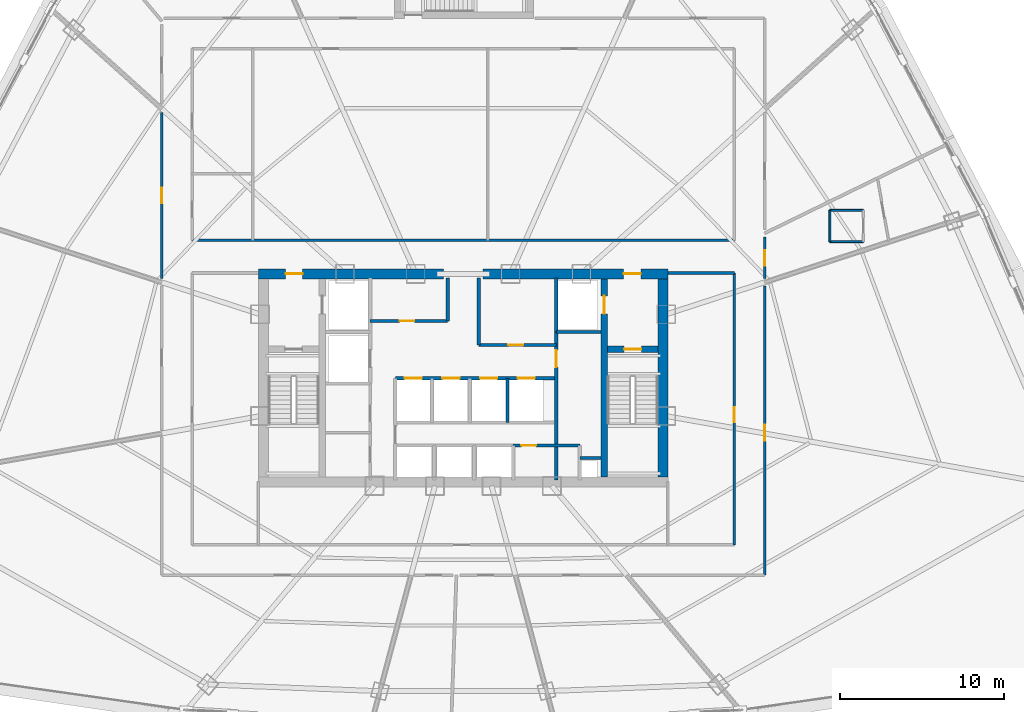
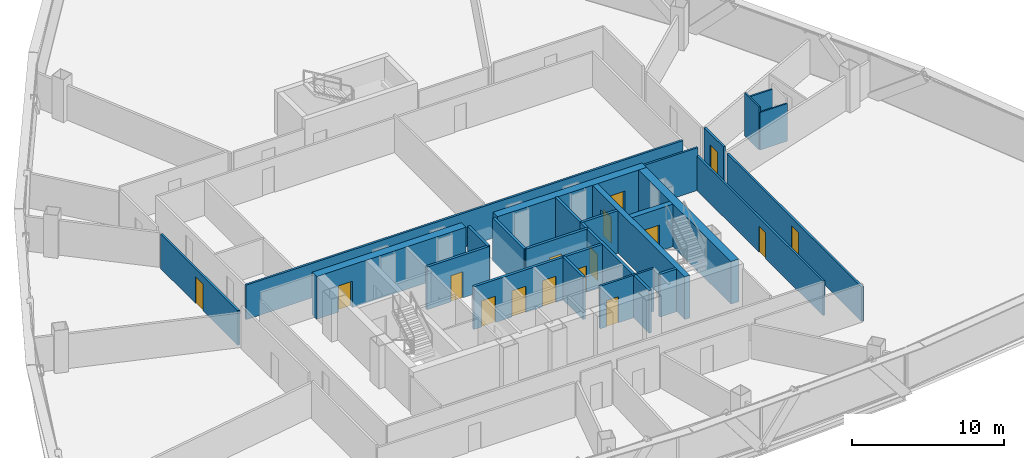
# One storey, part 36 of 42: 25 walls, 16 doors, 16 openings.
"""IFC4 building model written with IfcOpenShell, lengths in metres."""

from ifc_helpers import new_model, si_unit, direction, frame, frame_2d, origin, origin_with_axes, place, context, subcontext, project, spatial, rectangle, extrude, source, transform, mapped, material, layer, layer_set, type_object, element, fill, save


model = new_model("IFC4")

# Units and contexts
model_context = context("Model", 3, precision=1e-05, world=origin(), true_north=direction((0.0, 1.0)))
body_context = subcontext(model_context, "Body", "Model", "MODEL_VIEW")
ifc_project = project(units=[si_unit("LENGTHUNIT", "METRE"), si_unit("AREAUNIT", "SQUARE_METRE"), si_unit("VOLUMEUNIT", "CUBIC_METRE"), si_unit("PLANEANGLEUNIT", "RADIAN"), si_unit("MASSUNIT", "GRAM", prefix="KILO"), si_unit("THERMODYNAMICTEMPERATUREUNIT", "KELVIN"), si_unit("POWERUNIT", "WATT")], contexts=[model_context])

# Site, building, storey
site_placement = place(None, origin())
site = spatial("IfcSite", under=ifc_project, at=site_placement, CompositionType="ELEMENT")
building_placement = place(site_placement, origin())
building = spatial("IfcBuilding", under=site, at=building_placement, Name="Yunzhuo Pagoda Commons", CompositionType="ELEMENT")
storey_placement = place(building_placement, frame((0.0, 0.0, 129.830078125)))
storey = spatial("IfcBuildingStorey", under=building, at=storey_placement, Name="L32", CompositionType="ELEMENT", Elevation=129.830078125)

# Wall, opening, door
ifc_material_1 = material(Name="Concrete C60", Category="concrete")
ifc_layer_1 = layer(ifc_material_1, 0.60009765625)
ifc_layer_set_1 = layer_set([ifc_layer_1], Name="Concrete C60")
wall_type_1 = type_object("IfcWallType", Name="W-C02 Mid Core Shear Wall 600", PredefinedType="SHEAR", material=ifc_layer_set_1)
wall_1_placement = place(storey_placement, frame((35.5, 40.199951171875, 0.0), z_axis=(0.0, 0.0, 1.0), x_axis=(1.0, 0.0, 0.0)))
wall_1 = element("IfcWall", 1, at=wall_1_placement, inside=storey, type_object=wall_type_1, Name="L32 core shear wall NW", PredefinedType="SHEAR", context=body_context, shape_type="SweptSolid", body=[
    extrude(rectangle(XDim=11.300048828125, YDim=0.60009765625, at=frame_2d((5.64990234375, 0.0))), origin(), (0.0, 0.0, 1.0), 3.419921875),
])
opening_1_placement = place(wall_1_placement, frame((1.64990234375, 0.0, 0.0)))
opening_1 = element("IfcOpeningElement", 2, at=opening_1_placement, cuts=wall_1, Name="Opening D-02", PredefinedType="OPENING", context=body_context, shape_type="SweptSolid", body=[
    extrude(rectangle(XDim=1.050048828125, YDim=2.10009765625, at=frame_2d((0.52490234375, 1.050048828125))), frame((0.0, 0.31005859375, 0.0), z_axis=(0.0, -1.0, 0.0), x_axis=(1.0, 0.0, 0.0)), (0.0, 0.0, 1.0), 0.6201171875),
])
ifc_material_2 = material(Name="Galvanized fire-resisting metal leaf")
door_type_1 = type_object("IfcDoorType", Name="D-02 Firefighting Lobby & Refuge Fire Door 1050x2100", OperationType="NOTDEFINED", PredefinedType="DOOR", material=ifc_material_2)
shared_shape_1 = source(origin(), body_context, "Body", "SweptSolid", [
    extrude(rectangle(XDim=1.050048828125, YDim=2.10009765625, at=frame_2d((0.52490234375, 1.050048828125))), frame((0.0, 0.02490234375, 0.0), z_axis=(0.0, -1.0, 0.0), x_axis=(1.0, 0.0, 0.0)), (0.0, 0.0, 1.0), 0.050048828125),
])
door_1_placement = place(opening_1_placement, frame((1.050048828125, 0.0, 0.0), z_axis=(0.0, 0.0, 1.0), x_axis=(-1.0, 0.0, 0.0)))
door_1 = element("IfcDoor", 3, at=door_1_placement, inside=storey, type_object=door_type_1, Name="L32 Firefighting Lobby 1 fire door", OperationType="SINGLE_SWING_LEFT", OverallHeight=2.10009765625, OverallWidth=1.050048828125, PredefinedType="DOOR", context=body_context, shape_type="MappedRepresentation", body=[
    mapped(shared_shape_1, transform((0.0, 0.0, 0.0), scale=1.0)),
])
fill(opening_1, door_1)

wall_2_placement = place(storey_placement, frame((49.199951171875, 40.199951171875, 0.0), z_axis=(0.0, 0.0, 1.0), x_axis=(1.0, 0.0, 0.0)))
wall_2 = element("IfcWall", 4, at=wall_2_placement, inside=storey, type_object=wall_type_1, Name="L32 core shear wall NE", PredefinedType="SHEAR", context=body_context, shape_type="SweptSolid", body=[
    extrude(rectangle(XDim=11.300048828125, YDim=0.60009765625, at=frame_2d((5.64990234375, 0.0))), origin(), (0.0, 0.0, 1.0), 3.419921875),
])
opening_2_placement = place(wall_2_placement, frame((8.60009765625, 0.0, 0.0)))
opening_2 = element("IfcOpeningElement", 5, at=opening_2_placement, cuts=wall_2, Name="Opening D-02", PredefinedType="OPENING", context=body_context, shape_type="SweptSolid", body=[
    extrude(rectangle(XDim=1.050048828125, YDim=2.10009765625, at=frame_2d((0.52490234375, 1.050048828125))), frame((0.0, 0.31005859375, 0.0), z_axis=(0.0, -1.0, 0.0), x_axis=(1.0, 0.0, 0.0)), (0.0, 0.0, 1.0), 0.6201171875),
])
door_2_placement = place(opening_2_placement, frame((1.050048828125, 0.0, 0.0), z_axis=(0.0, 0.0, 1.0), x_axis=(-1.0, 0.0, 0.0)))
door_2 = element("IfcDoor", 6, at=door_2_placement, inside=storey, type_object=door_type_1, Name="L32 Firefighting Lobby 2 fire door", OperationType="SINGLE_SWING_RIGHT", OverallHeight=2.10009765625, OverallWidth=1.050048828125, PredefinedType="DOOR", context=body_context, shape_type="MappedRepresentation", body=[
    mapped(shared_shape_1, transform((0.0, 0.0, 0.0), scale=1.0)),
])
fill(opening_2, door_2)

# Wall
wall_3_placement = place(storey_placement, frame((60.199951171875, 27.800048828125, 0.0), z_axis=(0.0, 0.0, 1.0), x_axis=(0.0, 1.0, 0.0)))
element("IfcWall", 7, at=wall_3_placement, inside=storey, type_object=wall_type_1, Name="L32 core shear wall E", PredefinedType="SHEAR", context=body_context, shape_type="SweptSolid", body=[
    extrude(rectangle(XDim=12.099853515625, YDim=0.60009765625, at=frame_2d((6.0498046875, 0.0))), origin(), (0.0, 0.0, 1.0), 3.419921875),
])

# Wall, opening, door
ifc_material_3 = material(Name="Gypsum plasterboard on acoustic stud")
ifc_layer_2 = layer(ifc_material_3, 0.155029296875)
ifc_layer_set_2 = layer_set([ifc_layer_2], Name="Gypsum plasterboard on acoustic stud")
wall_type_2 = type_object("IfcWallType", Name="W-COR2 Mid-Zone Rated Corridor Wall 155", PredefinedType="PARTITIONING", material=ifc_layer_set_2)
wall_4_placement = place(storey_placement, frame((51.050048828125, 29.719970703125, 0.0), z_axis=(0.0, 0.0, 1.0), x_axis=(1.0, 0.0, 0.0)))
wall_4 = element("IfcWall", 8, at=wall_4_placement, inside=storey, type_object=wall_type_2, Name="L32 interior wall IW-L32-CSES", PredefinedType="PARTITIONING", context=body_context, shape_type="SweptSolid", body=[
    extrude(rectangle(XDim=4.070068359375, YDim=0.155029296875, at=frame_2d((2.03515625, 0.0))), origin(), (0.0, 0.0, 1.0), 3.419921875),
])
opening_3_placement = place(wall_4_placement, frame((0.5, 0.0, 0.0)))
opening_3 = element("IfcOpeningElement", 9, at=opening_3_placement, cuts=wall_4, Name="Opening D-03", PredefinedType="OPENING", context=body_context, shape_type="SweptSolid", body=[
    extrude(rectangle(XDim=0.89990234375, YDim=2.10009765625, at=frame_2d((0.449951171875, 1.050048828125))), frame((0.0, 0.08740234375, 0.0), z_axis=(0.0, -1.0, 0.0), x_axis=(1.0, 0.0, 0.0)), (0.0, 0.0, 1.0), 0.175048828125),
])
door_type_2 = type_object("IfcDoorType", Name="D-03 Core Service Fire Door 900x2100", OperationType="NOTDEFINED", PredefinedType="DOOR", material=ifc_material_2)
shared_shape_2 = source(origin(), body_context, "Body", "SweptSolid", [
    extrude(rectangle(XDim=0.89990234375, YDim=2.10009765625, at=frame_2d((0.449951171875, 1.050048828125))), frame((0.0, 0.02490234375, 0.0), z_axis=(0.0, -1.0, 0.0), x_axis=(1.0, 0.0, 0.0)), (0.0, 0.0, 1.0), 0.050048828125),
])
door_3_placement = place(opening_3_placement, origin_with_axes())
door_3 = element("IfcDoor", 10, at=door_3_placement, inside=storey, type_object=door_type_2, Name="L32 IT closet door", OperationType="SINGLE_SWING_LEFT", OverallHeight=2.10009765625, OverallWidth=0.89990234375, PredefinedType="DOOR", context=body_context, shape_type="MappedRepresentation", body=[
    mapped(shared_shape_2, transform((0.0, 0.0, 0.0), scale=1.0)),
])
fill(opening_3, door_3)

# Wall
wall_5_placement = place(storey_placement, frame((31.449951171875, 42.25, 0.0), z_axis=(0.0, 0.0, 1.0), x_axis=(1.0, 0.0, 0.0)))
element("IfcWall", 11, at=wall_5_placement, inside=storey, type_object=wall_type_2, Name="L32 interior wall IW-L32-MCNS", PredefinedType="PARTITIONING", context=body_context, shape_type="SweptSolid", body=[
    extrude(rectangle(XDim=33.10009765625, YDim=0.155029296875, at=frame_2d((16.550048828125, 0.0))), origin(), (0.0, 0.0, 1.0), 2.77001953125),
])

# Wall, opening, door
wall_6_placement = place(storey_placement, frame((64.550048828125, 23.64990234375, 0.0), z_axis=(0.0, 0.0, 1.0), x_axis=(0.0, 1.0, 0.0)))
wall_6 = element("IfcWall", 12, at=wall_6_placement, inside=storey, type_object=wall_type_2, Name="L32 interior wall IW-L32-SFLE", PredefinedType="PARTITIONING", context=body_context, shape_type="SweptSolid", body=[
    extrude(rectangle(XDim=16.60009765625, YDim=0.155029296875, at=frame_2d((8.300048828125, 0.0))), origin(), (0.0, 0.0, 1.0), 2.77001953125),
])
opening_4_placement = place(wall_6_placement, frame((7.5, 0.0, 0.0)))
opening_4 = element("IfcOpeningElement", 13, at=opening_4_placement, cuts=wall_6, Name="Opening D-12", PredefinedType="OPENING", context=body_context, shape_type="SweptSolid", body=[
    extrude(rectangle(XDim=0.89990234375, YDim=2.080078125, at=frame_2d((0.449951171875, 1.0400390625))), frame((0.0, 0.08740234375, 0.0), z_axis=(0.0, -1.0, 0.0), x_axis=(1.0, 0.0, 0.0)), (0.0, 0.0, 1.0), 0.175048828125),
])
ifc_material_4 = material(Name="Powder-coated aluminium and timber acoustic leaf", Category="wood")
door_type_3 = type_object("IfcDoorType", Name="D-12 Quiet Study Interior Door 900x2080", OperationType="NOTDEFINED", PredefinedType="DOOR", material=ifc_material_4)
shared_shape_3 = source(origin(), body_context, "Body", "SweptSolid", [
    extrude(rectangle(XDim=0.89990234375, YDim=2.080078125, at=frame_2d((0.449951171875, 1.0400390625))), frame((0.0, 0.02490234375, 0.0), z_axis=(0.0, -1.0, 0.0), x_axis=(1.0, 0.0, 0.0)), (0.0, 0.0, 1.0), 0.050048828125),
])
door_4_placement = place(opening_4_placement, frame((0.89990234375, 0.0, 0.0), z_axis=(0.0, 0.0, 1.0), x_axis=(-1.0, 0.0, 0.0)))
door_4 = element("IfcDoor", 14, at=door_4_placement, inside=storey, type_object=door_type_3, Name="L32 east study workroom door", OperationType="SINGLE_SWING_RIGHT", OverallHeight=2.080078125, OverallWidth=0.89990234375, PredefinedType="DOOR", context=body_context, shape_type="MappedRepresentation", body=[
    mapped(shared_shape_3, transform((0.0, 0.0, 0.0), scale=1.0)),
])
fill(opening_4, door_4)

# Wall
wall_7_placement = place(storey_placement, frame((60.5, 40.25, 0.0), z_axis=(0.0, 0.0, 1.0), x_axis=(1.0, 0.0, 0.0)))
element("IfcWall", 15, at=wall_7_placement, inside=storey, type_object=wall_type_2, Name="L32 interior wall IW-L32-SFLNE", PredefinedType="PARTITIONING", context=body_context, shape_type="SweptSolid", body=[
    extrude(rectangle(XDim=4.050048828125, YDim=0.155029296875, at=frame_2d((2.02490234375, 0.0))), origin(), (0.0, 0.0, 1.0), 3.419921875),
])

# Wall, opening, door
wall_8_placement = place(storey_placement, frame((29.60009765625, 39.909912109375, 0.0), z_axis=(0.0, 0.0, 1.0), x_axis=(0.0, 1.0, 0.0)))
wall_8 = element("IfcWall", 16, at=wall_8_placement, inside=storey, type_object=wall_type_2, Name="L32 interior wall IW-L32-CWL03", PredefinedType="PARTITIONING", context=body_context, shape_type="SweptSolid", body=[
    extrude(rectangle(XDim=10.1376953125, YDim=0.155029296875, at=frame_2d((5.06884765625, 0.0))), origin(), (0.0, 0.0, 1.0), 2.77001953125),
])
opening_5_placement = place(wall_8_placement, frame((4.588134765625, 0.0, 0.0)))
opening_5 = element("IfcOpeningElement", 17, at=opening_5_placement, cuts=wall_8, Name="Opening D-07", PredefinedType="OPENING", context=body_context, shape_type="SweptSolid", body=[
    extrude(rectangle(XDim=0.9599609375, YDim=2.1201171875, at=frame_2d((0.47998046875, 1.06005859375))), frame((0.0, 0.08740234375, 0.0), z_axis=(0.0, -1.0, 0.0), x_axis=(1.0, 0.0, 0.0)), (0.0, 0.0, 1.0), 0.175048828125),
])
door_type_4 = type_object("IfcDoorType", Name="D-07 Mid-Zone Suite Entrance Fire Door 960x2120", OperationType="NOTDEFINED", PredefinedType="DOOR", material=ifc_material_2)
shared_shape_4 = source(origin(), body_context, "Body", "SweptSolid", [
    extrude(rectangle(XDim=0.9599609375, YDim=2.1201171875, at=frame_2d((0.47998046875, 1.06005859375))), frame((0.0, 0.02490234375, 0.0), z_axis=(0.0, -1.0, 0.0), x_axis=(1.0, 0.0, 0.0)), (0.0, 0.0, 1.0), 0.050048828125),
])
door_5_placement = place(opening_5_placement, origin_with_axes())
door_5 = element("IfcDoor", 18, at=door_5_placement, inside=storey, type_object=door_type_4, Name="L32 unit 07 entrance door", OperationType="SINGLE_SWING_LEFT", OverallHeight=2.1201171875, OverallWidth=0.9599609375, PredefinedType="DOOR", context=body_context, shape_type="MappedRepresentation", body=[
    mapped(shared_shape_4, transform((0.0, 0.0, 0.0), scale=1.0)),
])
fill(opening_5, door_5)

wall_9_placement = place(storey_placement, frame((66.39990234375, 42.45458984375, 0.0), z_axis=(0.0, 0.0, 1.0), x_axis=(0.0, -1.0, 0.0)))
wall_9 = element("IfcWall", 19, at=wall_9_placement, inside=storey, type_object=wall_type_2, Name="L32 interior wall IW-L32-CWL11", PredefinedType="PARTITIONING", context=body_context, shape_type="SweptSolid", body=[
    extrude(rectangle(XDim=2.544677734375, YDim=0.155029296875, at=frame_2d((1.2724609375, 0.0))), origin(), (0.0, 0.0, 1.0), 3.02001953125),
])
opening_6_placement = place(wall_9_placement, frame((0.802978515625, 0.0, 0.0)))
opening_6 = element("IfcOpeningElement", 20, at=opening_6_placement, cuts=wall_9, Name="Opening D-07", PredefinedType="OPENING", context=body_context, shape_type="SweptSolid", body=[
    extrude(rectangle(XDim=0.9599609375, YDim=2.1201171875, at=frame_2d((0.47998046875, 1.06005859375))), frame((0.0, 0.08740234375, 0.0), z_axis=(0.0, -1.0, 0.0), x_axis=(1.0, 0.0, 0.0)), (0.0, 0.0, 1.0), 0.175048828125),
])
door_6_placement = place(opening_6_placement, origin_with_axes())
door_6 = element("IfcDoor", 21, at=door_6_placement, inside=storey, type_object=door_type_4, Name="L32 unit 01 entrance door", OperationType="SINGLE_SWING_LEFT", OverallHeight=2.1201171875, OverallWidth=0.9599609375, PredefinedType="DOOR", context=body_context, shape_type="MappedRepresentation", body=[
    mapped(shared_shape_4, transform((0.0, 0.0, 0.0), scale=1.0)),
])
fill(opening_6, door_6)

wall_10_placement = place(storey_placement, frame((66.39990234375, 39.458740234375, 0.0), z_axis=(0.0, 0.0, 1.0), x_axis=(0.0, -1.0, 0.0)))
wall_10 = element("IfcWall", 22, at=wall_10_placement, inside=storey, type_object=wall_type_2, Name="L32 interior wall IW-L32-CWL12", PredefinedType="PARTITIONING", context=body_context, shape_type="SweptSolid", body=[
    extrude(rectangle(XDim=17.65869140625, YDim=0.155029296875, at=frame_2d((8.829345703125, 0.0))), origin(), (0.0, 0.0, 1.0), 2.77001953125),
])
opening_7_placement = place(wall_10_placement, frame((8.474365234375, 0.0, 0.0)))
opening_7 = element("IfcOpeningElement", 23, at=opening_7_placement, cuts=wall_10, Name="Opening D-07", PredefinedType="OPENING", context=body_context, shape_type="SweptSolid", body=[
    extrude(rectangle(XDim=0.9599609375, YDim=2.1201171875, at=frame_2d((0.47998046875, 1.06005859375))), frame((0.0, 0.08740234375, 0.0), z_axis=(0.0, -1.0, 0.0), x_axis=(1.0, 0.0, 0.0)), (0.0, 0.0, 1.0), 0.175048828125),
])
door_7_placement = place(opening_7_placement, origin_with_axes())
door_7 = element("IfcDoor", 24, at=door_7_placement, inside=storey, type_object=door_type_4, Name="L32 Resident Co-Living Commons Hall door", OperationType="SINGLE_SWING_LEFT", OverallHeight=2.1201171875, OverallWidth=0.9599609375, PredefinedType="DOOR", context=body_context, shape_type="MappedRepresentation", body=[
    mapped(shared_shape_4, transform((0.0, 0.0, 0.0), scale=1.0)),
])
fill(opening_7, door_7)

# Walls
ifc_layer_3 = layer(ifc_material_3, 0.1201171875)
ifc_layer_set_3 = layer_set([ifc_layer_3], Name="Gypsum plasterboard on acoustic stud")
wall_type_3 = type_object("IfcWallType", Name="W-PRT1 Suite & Bathroom Partition 120", PredefinedType="PARTITIONING", material=ifc_layer_set_3)
for number, where, z_axis, x_axis, name in (
    (25, (70.383056640625, 42.1708984375, 0.0), (0.0, 0.0, 1.0), (1.0, 0.0, 0.0), "L32 interior wall IW-L32-B01S"),
    (26, (72.43310546875, 44.071044921875, 0.0), (0.0, 0.0, 1.0), (-1.0, 0.0, 0.0), "L32 interior wall IW-L32-B01N"),
):
    element("IfcWall", number, at=place(storey_placement, frame(where, z_axis=z_axis, x_axis=x_axis)), inside=storey, type_object=wall_type_3, Name=name, PredefinedType="PARTITIONING", context=body_context, shape_type="SweptSolid", body=[
        extrude(rectangle(XDim=2.050048828125, YDim=0.1201171875, at=frame_2d((1.02490234375, 0.0))), origin(), (0.0, 0.0, 1.0), 3.02001953125),
    ])
wall_11_placement = place(storey_placement, frame((70.383056640625, 44.071044921875, 0.0), z_axis=(0.0, 0.0, 1.0), x_axis=(0.0, -1.0, 0.0)))
element("IfcWall", 27, at=wall_11_placement, inside=storey, type_object=wall_type_3, Name="L32 interior wall IW-L32-B01W", PredefinedType="PARTITIONING", context=body_context, shape_type="SweptSolid", body=[
    extrude(rectangle(XDim=1.900146484375, YDim=0.1201171875, at=frame_2d((0.9501953125, 0.0))), origin(), (0.0, 0.0, 1.0), 3.419921875),
])

# Wall, opening, door
ifc_layer_4 = layer(ifc_material_1, 0.39990234375)
ifc_layer_set_4 = layer_set([ifc_layer_4], Name="Concrete C60")
wall_type_4 = type_object("IfcWallType", Name="W-S01 Internal Core Shear Web 400", PredefinedType="SHEAR", material=ifc_layer_set_4)
wall_12_placement = place(storey_placement, frame((56.60009765625, 27.800048828125, 0.0), z_axis=(0.0, 0.0, 1.0), x_axis=(0.0, 1.0, 0.0)))
wall_12 = element("IfcWall", 28, at=wall_12_placement, inside=storey, type_object=wall_type_4, Name="L32 core shear wall WEBE", PredefinedType="SHEAR", context=body_context, shape_type="SweptSolid", body=[
    extrude(rectangle(XDim=12.099853515625, YDim=0.39990234375, at=frame_2d((6.0498046875, 0.0))), origin(), (0.0, 0.0, 1.0), 3.419921875),
])
opening_8_placement = place(wall_12_placement, frame((9.949951171875, 0.0, 0.0)))
opening_8 = element("IfcOpeningElement", 29, at=opening_8_placement, cuts=wall_12, Name="Opening LD-01", PredefinedType="OPENING", context=body_context, shape_type="SweptSolid", body=[
    extrude(rectangle(XDim=1.10009765625, YDim=2.10009765625, at=frame_2d((0.550048828125, 1.050048828125))), frame((0.0, 0.2099609375, 0.0), z_axis=(0.0, -1.0, 0.0), x_axis=(1.0, 0.0, 0.0)), (0.0, 0.0, 1.0), 0.419921875),
])
door_type_5 = type_object("IfcDoorType", Name="LD-01 Firefighting Lift Landing Door 1100x2100", OperationType="DOUBLE_DOOR_SLIDING", PredefinedType="DOOR", material=ifc_material_2)
shared_shape_5 = source(origin(), body_context, "Body", "SweptSolid", [
    extrude(rectangle(XDim=1.10009765625, YDim=2.10009765625, at=frame_2d((0.550048828125, 1.050048828125))), frame((0.0, 0.02490234375, 0.0), z_axis=(0.0, -1.0, 0.0), x_axis=(1.0, 0.0, 0.0)), (0.0, 0.0, 1.0), 0.050048828125),
])
door_8_placement = place(opening_8_placement, origin_with_axes())
door_8 = element("IfcDoor", 30, at=door_8_placement, inside=storey, type_object=door_type_5, Name="L32 Firefighting lift FL-2 landing door", OperationType="DOUBLE_DOOR_SLIDING", OverallHeight=2.10009765625, OverallWidth=1.10009765625, PredefinedType="DOOR", context=body_context, shape_type="MappedRepresentation", body=[
    mapped(shared_shape_5, transform((0.0, 0.0, 0.0), scale=1.0)),
])
fill(opening_8, door_8)

wall_13_placement = place(storey_placement, frame((56.800048828125, 35.60009765625, 0.0), z_axis=(0.0, 0.0, 1.0), x_axis=(1.0, 0.0, 0.0)))
wall_13 = element("IfcWall", 31, at=wall_13_placement, inside=storey, type_object=wall_type_4, Name="L32 core shear wall STE", PredefinedType="SHEAR", context=body_context, shape_type="SweptSolid", body=[
    extrude(rectangle(XDim=3.099853515625, YDim=0.39990234375, at=frame_2d((1.5498046875, 0.0))), origin(), (0.0, 0.0, 1.0), 3.419921875),
])
opening_9_placement = place(wall_13_placement, frame((1.02001953125, 0.0, 0.0)))
opening_9 = element("IfcOpeningElement", 32, at=opening_9_placement, cuts=wall_13, Name="Opening D-01", PredefinedType="OPENING", context=body_context, shape_type="SweptSolid", body=[
    extrude(rectangle(XDim=1.050048828125, YDim=2.10009765625, at=frame_2d((0.52490234375, 1.050048828125))), frame((0.0, 0.2099609375, 0.0), z_axis=(0.0, -1.0, 0.0), x_axis=(1.0, 0.0, 0.0)), (0.0, 0.0, 1.0), 0.419921875),
])
door_type_6 = type_object("IfcDoorType", Name="D-01 Smokeproof Stair Fire Door 1050x2100", OperationType="NOTDEFINED", PredefinedType="DOOR", material=ifc_material_2)
door_9_placement = place(opening_9_placement, frame((1.050048828125, 0.0, 0.0), z_axis=(0.0, 0.0, 1.0), x_axis=(-1.0, 0.0, 0.0)))
door_9 = element("IfcDoor", 33, at=door_9_placement, inside=storey, type_object=door_type_6, Name="L32 Stair ST2 fire door", OperationType="SINGLE_SWING_RIGHT", OverallHeight=2.10009765625, OverallWidth=1.050048828125, PredefinedType="DOOR", context=body_context, shape_type="MappedRepresentation", body=[
    mapped(shared_shape_1, transform((0.0, 0.0, 0.0), scale=1.0)),
])
fill(opening_9, door_9)

# Walls
ifc_material_5 = material(Name="Concrete C40", Category="concrete")
ifc_layer_5 = layer(ifc_material_5, 0.199951171875)
ifc_layer_set_5 = layer_set([ifc_layer_5], Name="Concrete C40")
wall_type_5 = type_object("IfcWallType", Name="W-SHF Shaft & Stair Enclosure Wall 200", PredefinedType="SOLIDWALL", material=ifc_layer_set_5)
wall_14_placement = place(storey_placement, frame((53.679931640625, 36.64990234375, 0.0), z_axis=(0.0, 0.0, 1.0), x_axis=(0.0, 1.0, 0.0)))
element("IfcWall", 34, at=wall_14_placement, inside=storey, type_object=wall_type_5, Name="L32 interior wall IW-L32-FL2W", PredefinedType="SOLIDWALL", context=body_context, shape_type="SweptSolid", body=[
    extrude(rectangle(XDim=3.300048828125, YDim=0.199951171875, at=frame_2d((1.64990234375, 0.0))), origin(), (0.0, 0.0, 1.0), 3.419921875),
])
wall_15_placement = place(storey_placement, frame((53.679931640625, 36.64990234375, 0.0), z_axis=(0.0, 0.0, 1.0), x_axis=(1.0, 0.0, 0.0)))
element("IfcWall", 35, at=wall_15_placement, inside=storey, type_object=wall_type_5, Name="L32 interior wall IW-L32-FL2S", PredefinedType="SOLIDWALL", context=body_context, shape_type="SweptSolid", body=[
    extrude(rectangle(XDim=2.719970703125, YDim=0.199951171875, at=frame_2d((1.35986328125, 0.0))), origin(), (0.0, 0.0, 1.0), 3.419921875),
])

# Wall, opening, door
wall_16_placement = place(storey_placement, frame((42.320068359375, 37.320068359375, 0.0), z_axis=(0.0, 0.0, 1.0), x_axis=(1.0, 0.0, 0.0)))
wall_16 = element("IfcWall", 36, at=wall_16_placement, inside=storey, type_object=wall_type_5, Name="L32 interior wall IW-L32-LBNW", PredefinedType="SOLIDWALL", context=body_context, shape_type="SweptSolid", body=[
    extrude(rectangle(XDim=4.72998046875, YDim=0.199951171875, at=frame_2d((2.364990234375, 0.0))), origin(), (0.0, 0.0, 1.0), 3.419921875),
])
opening_10_placement = place(wall_16_placement, frame((1.800048828125, 0.0, 0.0)))
opening_10 = element("IfcOpeningElement", 37, at=opening_10_placement, cuts=wall_16, Name="Opening D-03", PredefinedType="OPENING", context=body_context, shape_type="SweptSolid", body=[
    extrude(rectangle(XDim=0.89990234375, YDim=2.10009765625, at=frame_2d((0.449951171875, 1.050048828125))), frame((0.0, 0.10986328125, 0.0), z_axis=(0.0, -1.0, 0.0), x_axis=(1.0, 0.0, 0.0)), (0.0, 0.0, 1.0), 0.219970703125),
])
door_10_placement = place(opening_10_placement, frame((0.89990234375, 0.0, 0.0), z_axis=(0.0, 0.0, 1.0), x_axis=(-1.0, 0.0, 0.0)))
door_10 = element("IfcDoor", 38, at=door_10_placement, inside=storey, type_object=door_type_2, Name="L32 core west store door", OperationType="SINGLE_SWING_LEFT", OverallHeight=2.10009765625, OverallWidth=0.89990234375, PredefinedType="DOOR", context=body_context, shape_type="MappedRepresentation", body=[
    mapped(shared_shape_2, transform((0.0, 0.0, 0.0), scale=1.0)),
])
fill(opening_10, door_10)

wall_17_placement = place(storey_placement, frame((48.949951171875, 35.85009765625, 0.0), z_axis=(0.0, 0.0, 1.0), x_axis=(1.0, 0.0, 0.0)))
wall_17 = element("IfcWall", 39, at=wall_17_placement, inside=storey, type_object=wall_type_5, Name="L32 interior wall IW-L32-LBNE", PredefinedType="SOLIDWALL", context=body_context, shape_type="SweptSolid", body=[
    extrude(rectangle(XDim=4.72998046875, YDim=0.199951171875, at=frame_2d((2.364990234375, 0.0))), origin(), (0.0, 0.0, 1.0), 3.419921875),
])
opening_11_placement = place(wall_17_placement, frame((1.800048828125, 0.0, 0.0)))
opening_11 = element("IfcOpeningElement", 40, at=opening_11_placement, cuts=wall_17, Name="Opening D-03", PredefinedType="OPENING", context=body_context, shape_type="SweptSolid", body=[
    extrude(rectangle(XDim=0.89990234375, YDim=2.10009765625, at=frame_2d((0.449951171875, 1.050048828125))), frame((0.0, 0.10986328125, 0.0), z_axis=(0.0, -1.0, 0.0), x_axis=(1.0, 0.0, 0.0)), (0.0, 0.0, 1.0), 0.219970703125),
])
door_11_placement = place(opening_11_placement, frame((0.89990234375, 0.0, 0.0), z_axis=(0.0, 0.0, 1.0), x_axis=(-1.0, 0.0, 0.0)))
door_11 = element("IfcDoor", 41, at=door_11_placement, inside=storey, type_object=door_type_2, Name="L32 core east store door", OperationType="SINGLE_SWING_RIGHT", OverallHeight=2.10009765625, OverallWidth=0.89990234375, PredefinedType="DOOR", context=body_context, shape_type="MappedRepresentation", body=[
    mapped(shared_shape_2, transform((0.0, 0.0, 0.0), scale=1.0)),
])
fill(opening_11, door_11)

# Walls
wall_18_placement = place(storey_placement, frame((47.050048828125, 37.320068359375, 0.0), z_axis=(0.0, 0.0, 1.0), x_axis=(0.0, 1.0, 0.0)))
element("IfcWall", 42, at=wall_18_placement, inside=storey, type_object=wall_type_5, Name="L32 interior wall IW-L32-THRW", PredefinedType="SOLIDWALL", context=body_context, shape_type="SweptSolid", body=[
    extrude(rectangle(XDim=2.6298828125, YDim=0.199951171875, at=frame_2d((1.31494140625, 0.0))), origin(), (0.0, 0.0, 1.0), 3.419921875),
])
wall_19_placement = place(storey_placement, frame((48.949951171875, 35.85009765625, 0.0), z_axis=(0.0, 0.0, 1.0), x_axis=(0.0, 1.0, 0.0)))
element("IfcWall", 43, at=wall_19_placement, inside=storey, type_object=wall_type_5, Name="L32 interior wall IW-L32-THRE", PredefinedType="SOLIDWALL", context=body_context, shape_type="SweptSolid", body=[
    extrude(rectangle(XDim=4.099853515625, YDim=0.199951171875, at=frame_2d((2.0498046875, 0.0))), origin(), (0.0, 0.0, 1.0), 3.419921875),
])

# Wall, openings, doors
wall_20_placement = place(storey_placement, frame((43.85009765625, 33.820068359375, 0.0), z_axis=(0.0, 0.0, 1.0), x_axis=(1.0, 0.0, 0.0)))
wall_20 = element("IfcWall", 44, at=wall_20_placement, inside=storey, type_object=wall_type_5, Name="L32 interior wall IW-L32-MLBS", PredefinedType="SOLIDWALL", context=body_context, shape_type="SweptSolid", body=[
    extrude(rectangle(XDim=9.829833984375, YDim=0.199951171875, at=frame_2d((4.9150390625, 0.0))), origin(), (0.0, 0.0, 1.0), 3.419921875),
])
opening_12_placement = place(wall_20_placement, frame((0.574951171875, 0.0, 0.0)))
opening_12 = element("IfcOpeningElement", 45, at=opening_12_placement, cuts=wall_20, Name="Opening LD-02", PredefinedType="OPENING", context=body_context, shape_type="SweptSolid", body=[
    extrude(rectangle(XDim=1.050048828125, YDim=2.10009765625, at=frame_2d((0.52490234375, 1.050048828125))), frame((0.0, 0.10986328125, 0.0), z_axis=(0.0, -1.0, 0.0), x_axis=(1.0, 0.0, 0.0)), (0.0, 0.0, 1.0), 0.219970703125),
])
opening_13_placement = place(wall_20_placement, frame((2.875, 0.0, 0.0)))
opening_13 = element("IfcOpeningElement", 46, at=opening_13_placement, cuts=wall_20, Name="Opening LD-02", PredefinedType="OPENING", context=body_context, shape_type="SweptSolid", body=[
    extrude(rectangle(XDim=1.050048828125, YDim=2.10009765625, at=frame_2d((0.52490234375, 1.050048828125))), frame((0.0, 0.10986328125, 0.0), z_axis=(0.0, -1.0, 0.0), x_axis=(1.0, 0.0, 0.0)), (0.0, 0.0, 1.0), 0.219970703125),
])
opening_14_placement = place(wall_20_placement, frame((5.175048828125, 0.0, 0.0)))
opening_14 = element("IfcOpeningElement", 47, at=opening_14_placement, cuts=wall_20, Name="Opening LD-02", PredefinedType="OPENING", context=body_context, shape_type="SweptSolid", body=[
    extrude(rectangle(XDim=1.050048828125, YDim=2.10009765625, at=frame_2d((0.52490234375, 1.050048828125))), frame((0.0, 0.10986328125, 0.0), z_axis=(0.0, -1.0, 0.0), x_axis=(1.0, 0.0, 0.0)), (0.0, 0.0, 1.0), 0.219970703125),
])
opening_15_placement = place(wall_20_placement, frame((7.47509765625, 0.0, 0.0)))
opening_15 = element("IfcOpeningElement", 48, at=opening_15_placement, cuts=wall_20, Name="Opening LD-02", PredefinedType="OPENING", context=body_context, shape_type="SweptSolid", body=[
    extrude(rectangle(XDim=1.050048828125, YDim=2.10009765625, at=frame_2d((0.52490234375, 1.050048828125))), frame((0.0, 0.10986328125, 0.0), z_axis=(0.0, -1.0, 0.0), x_axis=(1.0, 0.0, 0.0)), (0.0, 0.0, 1.0), 0.219970703125),
])
door_type_7 = type_object("IfcDoorType", Name="LD-02 Passenger Lift Landing Door 1050x2100", OperationType="DOUBLE_DOOR_SLIDING", PredefinedType="DOOR", material=ifc_material_2)
door_12_placement = place(opening_12_placement, origin_with_axes())
door_12 = element("IfcDoor", 49, at=door_12_placement, inside=storey, type_object=door_type_7, Name="L32 Passenger lift PL-M1 landing door", OperationType="DOUBLE_DOOR_SLIDING", OverallHeight=2.10009765625, OverallWidth=1.050048828125, PredefinedType="DOOR", context=body_context, shape_type="MappedRepresentation", body=[
    mapped(shared_shape_1, transform((0.0, 0.0, 0.0), scale=1.0)),
])
fill(opening_12, door_12)
door_13_placement = place(opening_13_placement, origin_with_axes())
door_13 = element("IfcDoor", 50, at=door_13_placement, inside=storey, type_object=door_type_7, Name="L32 Passenger lift PL-M2 landing door", OperationType="DOUBLE_DOOR_SLIDING", OverallHeight=2.10009765625, OverallWidth=1.050048828125, PredefinedType="DOOR", context=body_context, shape_type="MappedRepresentation", body=[
    mapped(shared_shape_1, transform((0.0, 0.0, 0.0), scale=1.0)),
])
fill(opening_13, door_13)
door_14_placement = place(opening_14_placement, origin_with_axes())
door_14 = element("IfcDoor", 51, at=door_14_placement, inside=storey, type_object=door_type_7, Name="L32 Passenger lift PL-M3 landing door", OperationType="DOUBLE_DOOR_SLIDING", OverallHeight=2.10009765625, OverallWidth=1.050048828125, PredefinedType="DOOR", context=body_context, shape_type="MappedRepresentation", body=[
    mapped(shared_shape_1, transform((0.0, 0.0, 0.0), scale=1.0)),
])
fill(opening_14, door_14)
door_15_placement = place(opening_15_placement, origin_with_axes())
door_15 = element("IfcDoor", 52, at=door_15_placement, inside=storey, type_object=door_type_7, Name="L32 Passenger lift PL-M4 landing door", OperationType="DOUBLE_DOOR_SLIDING", OverallHeight=2.10009765625, OverallWidth=1.050048828125, PredefinedType="DOOR", context=body_context, shape_type="MappedRepresentation", body=[
    mapped(shared_shape_1, transform((0.0, 0.0, 0.0), scale=1.0)),
])
fill(opening_15, door_15)

# Wall, opening, door
wall_21_placement = place(storey_placement, frame((53.679931640625, 27.60009765625, 0.0), z_axis=(0.0, 0.0, 1.0), x_axis=(0.0, 1.0, 0.0)))
wall_21 = element("IfcWall", 53, at=wall_21_placement, inside=storey, type_object=wall_type_5, Name="L32 interior wall IW-L32-PLME", PredefinedType="SOLIDWALL", context=body_context, shape_type="SweptSolid", body=[
    extrude(rectangle(XDim=9.0498046875, YDim=0.199951171875, at=frame_2d((4.52490234375, 0.0))), origin(), (0.0, 0.0, 1.0), 3.419921875),
])
opening_16_placement = place(wall_21_placement, frame((6.89990234375, 0.0, 0.0)))
opening_16 = element("IfcOpeningElement", 54, at=opening_16_placement, cuts=wall_21, Name="Opening D-02", PredefinedType="OPENING", context=body_context, shape_type="SweptSolid", body=[
    extrude(rectangle(XDim=1.050048828125, YDim=2.10009765625, at=frame_2d((0.52490234375, 1.050048828125))), frame((0.0, 0.10986328125, 0.0), z_axis=(0.0, -1.0, 0.0), x_axis=(1.0, 0.0, 0.0)), (0.0, 0.0, 1.0), 0.219970703125),
])
door_16_placement = place(opening_16_placement, origin_with_axes())
door_16 = element("IfcDoor", 55, at=door_16_placement, inside=storey, type_object=door_type_1, Name="L32 High-bank lift hall door", OperationType="SINGLE_SWING_RIGHT", OverallHeight=2.10009765625, OverallWidth=1.050048828125, PredefinedType="DOOR", context=body_context, shape_type="MappedRepresentation", body=[
    mapped(shared_shape_1, transform((0.0, 0.0, 0.0), scale=1.0)),
])
fill(opening_16, door_16)

# Walls
wall_22_placement = place(storey_placement, frame((50.699951171875, 31.1201171875, 0.0), z_axis=(0.0, 0.0, 1.0), x_axis=(0.0, 1.0, 0.0)))
element("IfcWall", 56, at=wall_22_placement, inside=storey, type_object=wall_type_5, Name="L32 interior wall IW-L32-PLMD3", PredefinedType="SOLIDWALL", context=body_context, shape_type="SweptSolid", body=[
    extrude(rectangle(XDim=2.699951171875, YDim=0.199951171875, at=frame_2d((1.35009765625, 0.0))), origin(), (0.0, 0.0, 1.0), 3.419921875),
])
wall_23_placement = place(storey_placement, frame((55.1201171875, 28.949951171875, 0.0), z_axis=(0.0, 0.0, 1.0), x_axis=(1.0, 0.0, 0.0)))
element("IfcWall", 57, at=wall_23_placement, inside=storey, type_object=wall_type_5, Name="L32 interior wall IW-L32-RSHFN", PredefinedType="SOLIDWALL", context=body_context, shape_type="SweptSolid", body=[
    extrude(rectangle(XDim=1.27978515625, YDim=0.199951171875, at=frame_2d((0.639892578125, 0.0))), origin(), (0.0, 0.0, 1.0), 3.419921875),
])

save(model, "model.ifc")
